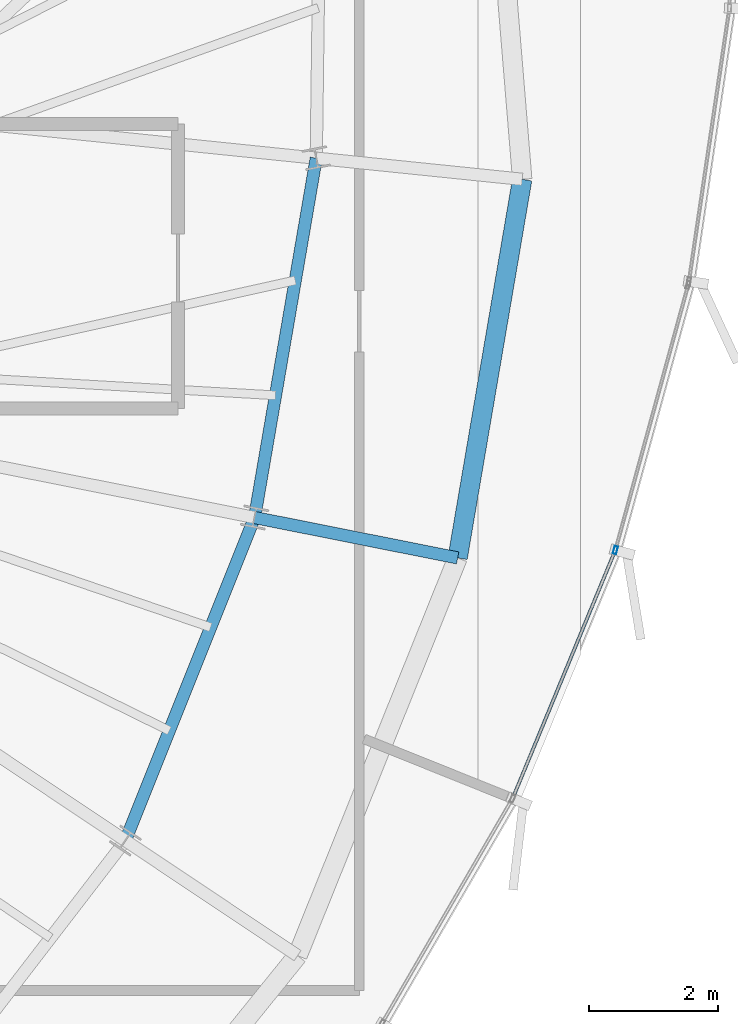
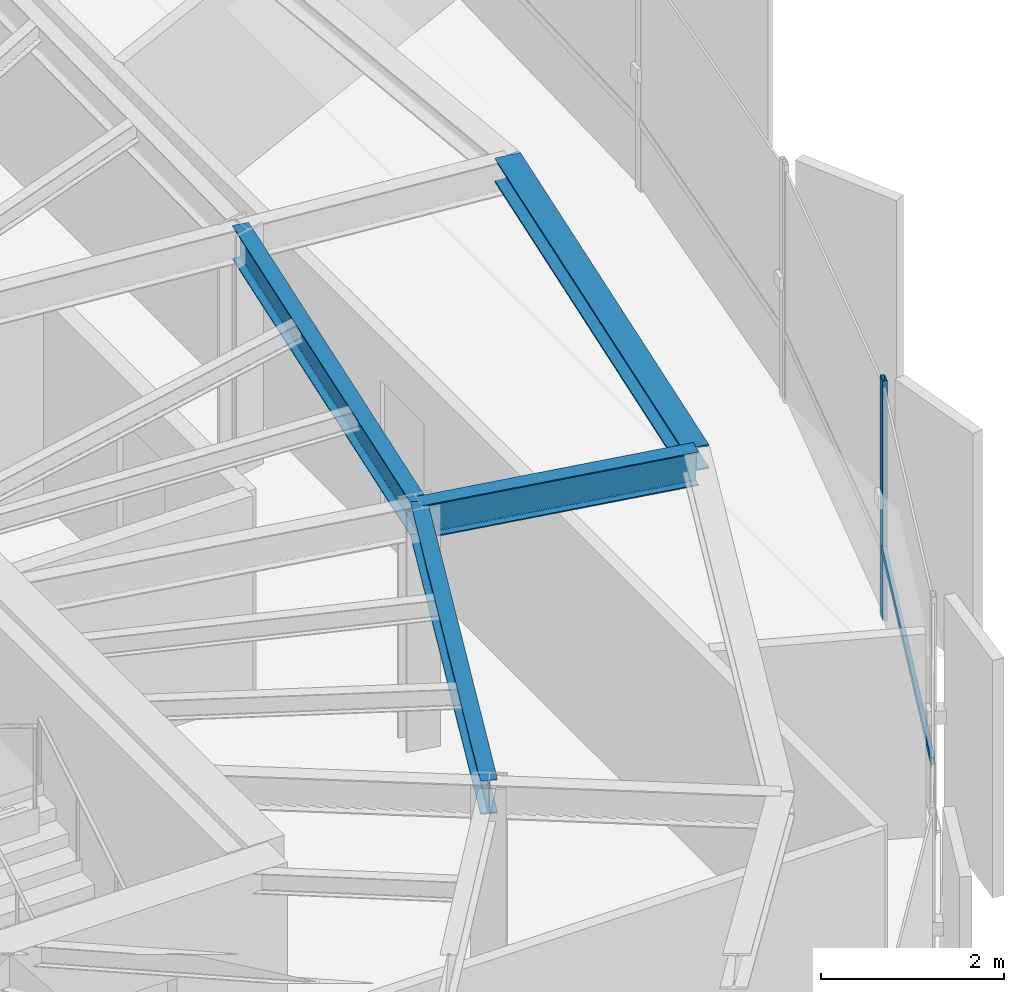
# One storey, part 14 of 34: 4 beams, 2 members, 1 element without a shape of its own.
"""IFC4 building model written with IfcOpenShell, lengths in metres."""

from ifc_helpers import new_model, si_unit, direction, frame, origin, origin_2d, place, context, subcontext, project, spatial, hollow_rectangle, i_section, extrude, source, transform, mapped, material, layer, layer_set, material_profile, profile_set, type_object, element, aggregate, save


model = new_model("IFC4")

# Units and contexts
model_context = context("Model", 3, precision=1e-05, world=origin(), true_north=direction((0.0, 1.0)))
body_context = subcontext(model_context, "Body", "Model", "MODEL_VIEW")
ifc_project = project(units=[si_unit("LENGTHUNIT", "METRE"), si_unit("AREAUNIT", "SQUARE_METRE"), si_unit("VOLUMEUNIT", "CUBIC_METRE"), si_unit("PLANEANGLEUNIT", "RADIAN"), si_unit("MASSUNIT", "GRAM", prefix="KILO"), si_unit("THERMODYNAMICTEMPERATUREUNIT", "KELVIN")], contexts=[model_context])

# Site, building, storey
site_placement = place(None, origin())
site = spatial("IfcSite", under=ifc_project, at=site_placement, CompositionType="ELEMENT")
building_placement = place(site_placement, origin())
building = spatial("IfcBuilding", under=site, at=building_placement, Name="Kethvar Cultural Tower", CompositionType="ELEMENT")
storey_placement = place(building_placement, frame((0.0, 0.0, 259.449951171875)))
storey = spatial("IfcBuildingStorey", under=building, at=storey_placement, Name="L68", CompositionType="ELEMENT", Elevation=259.449951171875)

# Beams
ifc_material_1 = material(Name="Steel S355J2", Category="steel")
ifc_material_profile_1 = material_profile(ifc_material_1, i_section(OverallWidth=0.18994140625, OverallDepth=0.449951171875, WebThickness=0.009521484375, FlangeThickness=0.0146484375, FilletRadius=0.02099609375, at=origin_2d()), Name="Steel S355J2 — IPE450")
ifc_profile_set_1 = profile_set([ifc_material_profile_1], Name="Steel S355J2 — IPE450")
beam_type_1 = type_object("IfcBeamType", Name="BM-IPE450", PredefinedType="BEAM", material=ifc_profile_set_1)
shared_shape_1 = source(origin(), body_context, "Body", "SweptSolid", [
    extrude(i_section(OverallWidth=0.18994140625, OverallDepth=0.449951171875, WebThickness=0.009521484375, FlangeThickness=0.0146484375, FilletRadius=0.02099609375, at=origin_2d()), origin(), (0.0, 0.0, 1.0), 3.199951171875),
])
beam_1_placement = place(storey_placement, frame((60.28369140625, 25.117919921875, 2.983154296875), z_axis=(0.980785550224, -0.195088965533, 0.0), x_axis=(0.195088965533, 0.980785550224, 0.0)))
element("IfcBeam", 1, at=beam_1_placement, inside=storey, type_object=beam_type_1, Name="L68 Perimeter Cantilever Beam RC-16", PredefinedType="BEAM", context=body_context, shape_type="MappedRepresentation", body=[
    mapped(shared_shape_1, transform((0.0, 0.0, 0.0), scale=1.0)),
])
shared_shape_2 = source(origin(), body_context, "Body", "SweptSolid", [
    extrude(i_section(OverallWidth=0.18994140625, OverallDepth=0.449951171875, WebThickness=0.009521484375, FlangeThickness=0.0146484375, FilletRadius=0.02099609375, at=origin_2d()), origin(), (0.0, 0.0, 1.0), 5.377685546875),
])
beam_2_placement = place(storey_placement, frame((58.287109375, 20.12451171875, 2.983154296875), z_axis=(0.371265436914, 0.928526776864, 0.0), x_axis=(-0.928526776864, 0.371265436914, 0.0)))
element("IfcBeam", 2, at=beam_2_placement, inside=storey, type_object=beam_type_1, Name="L68 Column Ring Tie Beam CR-15", PredefinedType="BEAM", context=body_context, shape_type="MappedRepresentation", body=[
    mapped(shared_shape_2, transform((0.0, 0.0, 0.0), scale=1.0)),
])
shared_shape_3 = source(origin(), body_context, "Body", "SweptSolid", [
    extrude(i_section(OverallWidth=0.18994140625, OverallDepth=0.449951171875, WebThickness=0.009521484375, FlangeThickness=0.0146484375, FilletRadius=0.02099609375, at=origin_2d()), origin(), (0.0, 0.0, 1.0), 5.635009765625),
])
beam_3_placement = place(storey_placement, frame((60.28369140625, 25.117919921875, 2.983154296875), z_axis=(0.169188687614, 0.985583678834, 0.0), x_axis=(-0.985583678834, 0.169188687614, 0.0)))
element("IfcBeam", 3, at=beam_3_placement, inside=storey, type_object=beam_type_1, Name="L68 Column Ring Tie Beam CR-16", PredefinedType="BEAM", context=body_context, shape_type="MappedRepresentation", body=[
    mapped(shared_shape_3, transform((0.0, 0.0, 0.0), scale=1.0)),
])
ifc_material_profile_2 = material_profile(ifc_material_1, i_section(OverallWidth=0.300048828125, OverallDepth=0.320068359375, WebThickness=0.011474609375, FlangeThickness=0.0205078125, FilletRadius=0.027099609375, at=origin_2d()), Name="Steel S355J2 — HEB320")
ifc_profile_set_2 = profile_set([ifc_material_profile_2], Name="Steel S355J2 — HEB320")
beam_type_2 = type_object("IfcBeamType", Name="BM-SP320", PredefinedType="SPANDREL", material=ifc_profile_set_2)
shared_shape_4 = source(origin(), body_context, "Body", "SweptSolid", [
    extrude(i_section(OverallWidth=0.300048828125, OverallDepth=0.320068359375, WebThickness=0.011474609375, FlangeThickness=0.0205078125, FilletRadius=0.027099609375, at=origin_2d()), origin(), (0.0, 0.0, 1.0), 5.93603515625),
])
beam_4_placement = place(storey_placement, frame((63.422119140625, 24.49365234375, 3.048095703125), z_axis=(0.16817267321, 0.985757552335, 0.0), x_axis=(-0.985757552335, 0.16817267321, 0.0)))
element("IfcBeam", 4, at=beam_4_placement, inside=storey, type_object=beam_type_2, Name="L68 Perimeter Spandrel Beam SP-16", PredefinedType="SPANDREL", context=body_context, shape_type="MappedRepresentation", body=[
    mapped(shared_shape_4, transform((0.0, 0.0, 0.0), scale=1.0)),
])

# Curtain wall, members
ifc_material_2 = material(Name="Aluminium 6063-T6", Category="aluminium")
ifc_layer = layer(ifc_material_2, 0.179931640625, Name="Aluminium 6063-T6", Category="aluminium")
ifc_layer_set = layer_set([ifc_layer], Name="Aluminium 6063-T6 (180 mm)")
curtain_wall_type = type_object("IfcCurtainWallType", Name="CW-SYS-05-Z56", PredefinedType="NOTDEFINED", material=ifc_layer_set)
curtain_wall_placement = place(storey_placement, origin())
curtain_wall = element("IfcCurtainWall", 5, at=curtain_wall_placement, inside=storey, type_object=curtain_wall_type, Name="L68 Curtain Wall Run 05", PredefinedType="NOTDEFINED")
ifc_material_profile_3 = material_profile(ifc_material_2, hollow_rectangle(XDim=0.054931640625, YDim=0.1201171875, WallThickness=0.00390625, at=origin_2d()), Name="Aluminium 6063-T6 — RHS120x55x4")
ifc_profile_set_3 = profile_set([ifc_material_profile_3], Name="Aluminium 6063-T6 — RHS120x55x4")
member_type_1 = type_object("IfcMemberType", Name="CW-SYS-05-Z56-MUL", PredefinedType="MULLION", material=ifc_profile_set_3)
shared_shape_5 = source(origin(), body_context, "Body", "SweptSolid", [
    extrude(hollow_rectangle(XDim=0.054931640625, YDim=0.1201171875, WallThickness=0.00390625, at=origin_2d()), origin(), (0.0, 0.0, 1.0), 3.2099609375),
])
member_1_placement = place(storey_placement, frame((65.860595703125, 24.61328125, 0.0), z_axis=(0.0, 0.0, 1.0), x_axis=(-0.964322158245, 0.264731515159, 0.0)))
member_1 = element("IfcMember", 6, at=member_1_placement, type_object=member_type_1, Name="CW-L68-R05 Mullion 6", PredefinedType="MULLION", context=body_context, shape_type="MappedRepresentation", body=[
    mapped(shared_shape_5, transform((0.0, 0.0, 0.0), scale=1.0)),
])
ifc_material_profile_4 = material_profile(ifc_material_2, hollow_rectangle(XDim=0.050048828125, YDim=0.10009765625, WallThickness=0.00390625, at=origin_2d()), Name="Aluminium 6063-T6 — RHS100x50x4")
ifc_profile_set_4 = profile_set([ifc_material_profile_4], Name="Aluminium 6063-T6 — RHS100x50x4")
member_type_2 = type_object("IfcMemberType", Name="CW-SYS-05-Z56-TRN", PredefinedType="USERDEFINED", material=ifc_profile_set_4)
shared_shape_6 = source(origin(), body_context, "Body", "SweptSolid", [
    extrude(hollow_rectangle(XDim=0.050048828125, YDim=0.10009765625, WallThickness=0.00390625, at=origin_2d()), origin(), (0.0, 0.0, 1.0), 4.089111328125),
])
member_2_placement = place(storey_placement, frame((64.28662109375, 20.809814453125, 0.949951171875), z_axis=(0.382235772784, 0.924064832143, 0.0), x_axis=(-0.924064832143, 0.382235772784, 0.0)))
member_2 = element("IfcMember", 7, at=member_2_placement, type_object=member_type_2, Name="CW-L68-R05 Transom 5", ObjectType="TRANSOM", PredefinedType="USERDEFINED", context=body_context, shape_type="MappedRepresentation", body=[
    mapped(shared_shape_6, transform((0.0, 0.0, 0.0), scale=1.0)),
])
aggregate(curtain_wall, [member_1, member_2])

save(model, "model.ifc")
